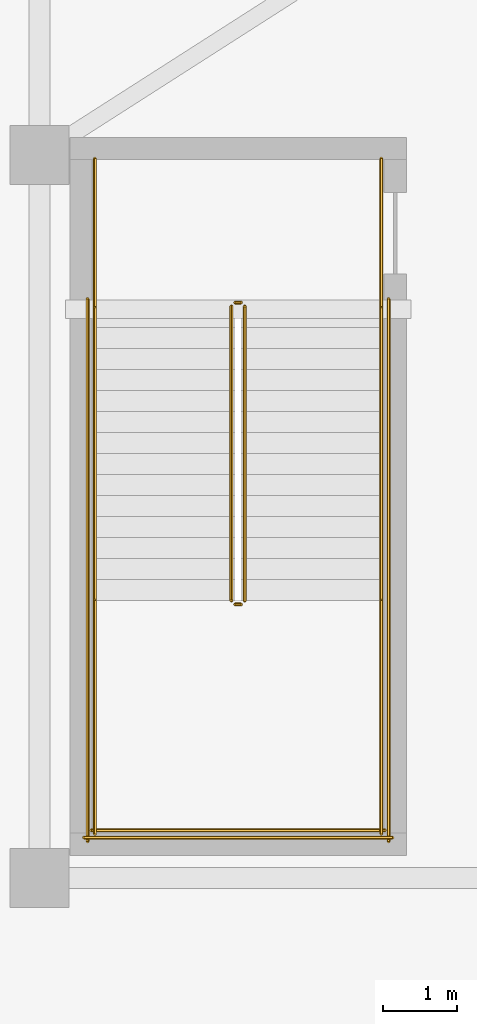
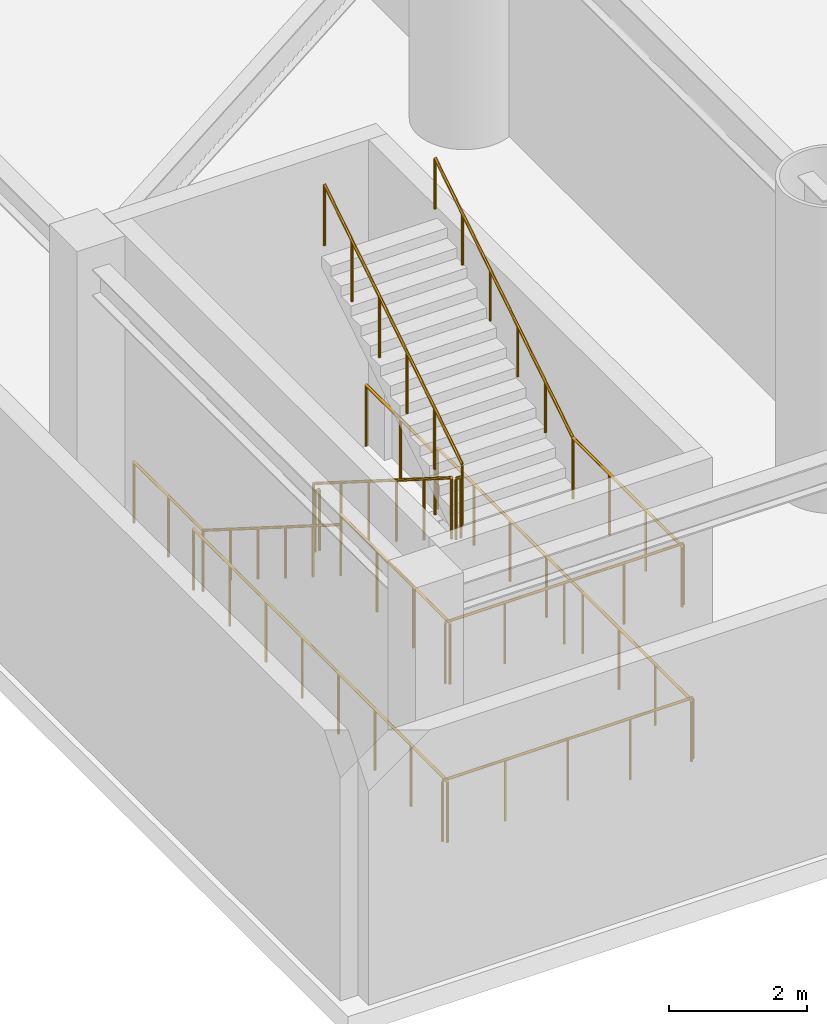
# One storey, part 10 of 16: 14 railings.
"""IFC4 building model written with IfcOpenShell, lengths in metres."""

from ifc_helpers import new_model, si_unit, direction, frame, origin, origin_2d, place, context, subcontext, project, spatial, circle, extrude, material, type_object, element, save


model = new_model("IFC4")

# Units and contexts
model_context = context("Model", 3, precision=1e-05, world=origin(), true_north=direction((0.0, 1.0)))
body_context = subcontext(model_context, "Body", "Model", "MODEL_VIEW")
ifc_project = project(units=[si_unit("LENGTHUNIT", "METRE"), si_unit("AREAUNIT", "SQUARE_METRE"), si_unit("VOLUMEUNIT", "CUBIC_METRE"), si_unit("PLANEANGLEUNIT", "RADIAN"), si_unit("MASSUNIT", "GRAM", prefix="KILO")], contexts=[model_context])

# Site, building, storey
site_placement = place(None, origin())
site = spatial("IfcSite", under=ifc_project, at=site_placement, CompositionType="ELEMENT")
building_placement = place(site_placement, origin())
building = spatial("IfcBuilding", under=site, at=building_placement, Name="Bramvorn Convention Spire", CompositionType="ELEMENT")
storey_placement = place(building_placement, frame((0.0, 0.0, 30.0)))
storey = spatial("IfcBuildingStorey", under=building, at=storey_placement, Name="L05", CompositionType="ELEMENT", Elevation=30.0)

# Railings
ifc_material_1 = material(Name="Painted Steel Balustrade & Guardrail", Category="steel")
railing_type_1 = type_object("IfcRailingType", Name="RL-STAIR-GUARD-1100", PredefinedType="GUARDRAIL", material=ifc_material_1)
railing_1_placement = place(storey_placement, frame((5.39990234375, 10.35009765625, 0.179931640625)))
element("IfcRailing", 1, at=railing_1_placement, inside=storey, type_object=railing_type_1, Name="L05 ST4 stair guard 1", PredefinedType="GUARDRAIL", context=body_context, shape_type="SweptSolid", body=[
    extrude(circle(Radius=0.02392578125, at=origin_2d()), frame((0.0, 0.0, 1.076171875), z_axis=(0.0, -0.845486444383, 0.533996884227), x_axis=(1.0, 0.0, 0.0)), (0.0, 0.0, 1.0), 4.71923828125),
    extrude(circle(Radius=0.02099609375, at=origin_2d()), origin(), (0.0, 0.0, 1.0), 1.052001953125),
    extrude(circle(Radius=0.02099609375, at=origin_2d()), frame((0.0, -0.798095703125, 0.50390625)), (0.0, 0.0, 1.0), 1.052001953125),
    extrude(circle(Radius=0.02099609375, at=origin_2d()), frame((0.0, -1.595947265625, 1.008056640625)), (0.0, 0.0, 1.0), 1.052001953125),
    extrude(circle(Radius=0.02099609375, at=origin_2d()), frame((0.0, -2.39404296875, 1.511962890625)), (0.0, 0.0, 1.0), 1.052001953125),
    extrude(circle(Radius=0.02099609375, at=origin_2d()), frame((0.0, -3.19189453125, 2.01611328125)), (0.0, 0.0, 1.0), 1.052001953125),
    extrude(circle(Radius=0.02099609375, at=origin_2d()), frame((0.0, -3.989990234375, 2.52001953125)), (0.0, 0.0, 1.0), 1.052001953125),
])
railing_2_placement = place(storey_placement, frame((5.449951171875, 6.31005859375, 2.699951171875)))
element("IfcRailing", 2, at=railing_2_placement, inside=storey, type_object=railing_type_1, Name="L05 ST4 stair guard 2", PredefinedType="GUARDRAIL", context=body_context, shape_type="SweptSolid", body=[
    extrude(circle(Radius=0.02392578125, at=origin_2d()), frame((0.0, 0.0, 1.076171875), z_axis=(1.0, 0.0, 0.0), x_axis=(0.0, 1.0, 0.0)), (0.0, 0.0, 1.0), 0.080078125),
    extrude(circle(Radius=0.02099609375, at=origin_2d()), origin(), (0.0, 0.0, 1.0), 1.052001953125),
    extrude(circle(Radius=0.02099609375, at=origin_2d()), frame((0.080078125, 0.0, 0.0)), (0.0, 0.0, 1.0), 1.052001953125),
])
for number, where, name in (
    (3, (3.550048828125, 6.360107421875, 2.699951171875), "L05 ST4 stair guard 3"),
    (4, (7.429931640625, 6.360107421875, 2.699951171875), "L05 ST4 stair guard 4"),
):
    element("IfcRailing", number, at=place(storey_placement, frame(where)), inside=storey, type_object=railing_type_1, Name=name, PredefinedType="GUARDRAIL", context=body_context, shape_type="SweptSolid", body=[
        extrude(circle(Radius=0.02392578125, at=origin_2d()), frame((0.0, 0.0, 1.076171875), z_axis=(0.0, -1.0, 0.0), x_axis=(1.0, 0.0, 0.0)), (0.0, 0.0, 1.0), 3.16015625),
        extrude(circle(Radius=0.02099609375, at=origin_2d()), origin(), (0.0, 0.0, 1.0), 1.052001953125),
        extrude(circle(Radius=0.02099609375, at=origin_2d()), frame((0.0, -1.053466796875, 0.0)), (0.0, 0.0, 1.0), 1.052001953125),
        extrude(circle(Radius=0.02099609375, at=origin_2d()), frame((0.0, -2.106689453125, 0.0)), (0.0, 0.0, 1.0), 1.052001953125),
        extrude(circle(Radius=0.02099609375, at=origin_2d()), frame((0.0, -3.16015625, 0.0)), (0.0, 0.0, 1.0), 1.052001953125),
    ])
railing_3_placement = place(storey_placement, frame((3.5, 3.25, 2.699951171875)))
element("IfcRailing", 5, at=railing_3_placement, inside=storey, type_object=railing_type_1, Name="L05 ST4 stair guard 5", PredefinedType="GUARDRAIL", context=body_context, shape_type="SweptSolid", body=[
    extrude(circle(Radius=0.02392578125, at=origin_2d()), frame((0.0, 0.0, 1.076171875), z_axis=(1.0, 0.0, 0.0), x_axis=(0.0, 1.0, 0.0)), (0.0, 0.0, 1.0), 3.97998046875),
    extrude(circle(Radius=0.02099609375, at=origin_2d()), origin(), (0.0, 0.0, 1.0), 1.052001953125),
    extrude(circle(Radius=0.02099609375, at=origin_2d()), frame((0.9951171875, 0.0, 0.0)), (0.0, 0.0, 1.0), 1.052001953125),
    extrude(circle(Radius=0.02099609375, at=origin_2d()), frame((1.989990234375, 0.0, 0.0)), (0.0, 0.0, 1.0), 1.052001953125),
    extrude(circle(Radius=0.02099609375, at=origin_2d()), frame((2.98486328125, 0.0, 0.0)), (0.0, 0.0, 1.0), 1.052001953125),
    extrude(circle(Radius=0.02099609375, at=origin_2d()), frame((3.97998046875, 0.0, 0.0)), (0.0, 0.0, 1.0), 1.052001953125),
])
railing_4_placement = place(storey_placement, frame((5.580078125, 6.360107421875, 2.8798828125)))
element("IfcRailing", 6, at=railing_4_placement, inside=storey, type_object=railing_type_1, Name="L05 ST4 stair guard 6", PredefinedType="GUARDRAIL", context=body_context, shape_type="SweptSolid", body=[
    extrude(circle(Radius=0.02392578125, at=origin_2d()), frame((0.0, 0.0, 1.076171875), z_axis=(0.0, 0.845486444383, 0.533996884227), x_axis=(-1.0, 0.0, 0.0)), (0.0, 0.0, 1.0), 4.71923828125),
    extrude(circle(Radius=0.02099609375, at=origin_2d()), origin(), (0.0, 0.0, 1.0), 1.052001953125),
    extrude(circle(Radius=0.02099609375, at=origin_2d()), frame((0.0, 0.798095703125, 0.50390625)), (0.0, 0.0, 1.0), 1.052001953125),
    extrude(circle(Radius=0.02099609375, at=origin_2d()), frame((0.0, 1.595947265625, 1.008056640625)), (0.0, 0.0, 1.0), 1.052001953125),
    extrude(circle(Radius=0.02099609375, at=origin_2d()), frame((0.0, 2.39404296875, 1.511962890625)), (0.0, 0.0, 1.0), 1.052001953125),
    extrude(circle(Radius=0.02099609375, at=origin_2d()), frame((0.0, 3.19189453125, 2.01611328125)), (0.0, 0.0, 1.0), 1.052001953125),
    extrude(circle(Radius=0.02099609375, at=origin_2d()), frame((0.0, 3.989990234375, 2.52001953125)), (0.0, 0.0, 1.0), 1.052001953125),
])
railing_5_placement = place(storey_placement, frame((5.449951171875, 10.39990234375, 0.0)))
element("IfcRailing", 7, at=railing_5_placement, inside=storey, type_object=railing_type_1, Name="L05 ST4 stair guard 7", PredefinedType="GUARDRAIL", context=body_context, shape_type="SweptSolid", body=[
    extrude(circle(Radius=0.02392578125, at=origin_2d()), frame((0.0, 0.0, 1.076171875), z_axis=(1.0, 0.0, 0.0), x_axis=(0.0, 1.0, 0.0)), (0.0, 0.0, 1.0), 0.080078125),
    extrude(circle(Radius=0.02099609375, at=origin_2d()), origin(), (0.0, 0.0, 1.0), 1.052001953125),
    extrude(circle(Radius=0.02099609375, at=origin_2d()), frame((0.080078125, 0.0, 0.0)), (0.0, 0.0, 1.0), 1.052001953125),
])
for number, where, name in (
    (8, (3.550048828125, 12.35009765625, 0.0), "L05 ST4 stair guard 8"),
    (9, (7.429931640625, 12.35009765625, 0.0), "L05 ST4 stair guard 9"),
):
    element("IfcRailing", number, at=place(storey_placement, frame(where)), inside=storey, type_object=railing_type_1, Name=name, PredefinedType="GUARDRAIL", context=body_context, shape_type="SweptSolid", body=[
        extrude(circle(Radius=0.02392578125, at=origin_2d()), frame((0.0, 0.0, 1.076171875), z_axis=(0.0, -1.0, 0.0), x_axis=(1.0, 0.0, 0.0)), (0.0, 0.0, 1.0), 2.0),
        extrude(circle(Radius=0.02099609375, at=origin_2d()), origin(), (0.0, 0.0, 1.0), 1.052001953125),
        extrude(circle(Radius=0.02099609375, at=origin_2d()), frame((0.0, -1.0, 0.0)), (0.0, 0.0, 1.0), 1.052001953125),
        extrude(circle(Radius=0.02099609375, at=origin_2d()), frame((0.0, -2.0, 0.0)), (0.0, 0.0, 1.0), 1.052001953125),
    ])
for number, where, name in (
    (10, (3.449951171875, 10.449951171875, 0.0), "L05 ST4 stair guard 10"),
    (11, (7.530029296875, 10.449951171875, 0.0), "L05 ST4 stair guard 11"),
):
    element("IfcRailing", number, at=place(storey_placement, frame(where)), inside=storey, type_object=railing_type_1, Name=name, PredefinedType="GUARDRAIL", context=body_context, shape_type="SweptSolid", body=[
        extrude(circle(Radius=0.02392578125, at=origin_2d()), frame((0.0, 0.0, 1.076171875), z_axis=(0.0, -1.0, 0.0), x_axis=(1.0, 0.0, 0.0)), (0.0, 0.0, 1.0), 7.349853515625),
        extrude(circle(Radius=0.02099609375, at=origin_2d()), origin(), (0.0, 0.0, 1.0), 1.052001953125),
        extrude(circle(Radius=0.02099609375, at=origin_2d()), frame((0.0, -1.050048828125, 0.0)), (0.0, 0.0, 1.0), 1.052001953125),
        extrude(circle(Radius=0.02099609375, at=origin_2d()), frame((0.0, -2.099853515625, 0.0)), (0.0, 0.0, 1.0), 1.052001953125),
        extrude(circle(Radius=0.02099609375, at=origin_2d()), frame((0.0, -3.14990234375, 0.0)), (0.0, 0.0, 1.0), 1.052001953125),
        extrude(circle(Radius=0.02099609375, at=origin_2d()), frame((0.0, -4.199951171875, 0.0)), (0.0, 0.0, 1.0), 1.052001953125),
        extrude(circle(Radius=0.02099609375, at=origin_2d()), frame((0.0, -5.25, 0.0)), (0.0, 0.0, 1.0), 1.052001953125),
        extrude(circle(Radius=0.02099609375, at=origin_2d()), frame((0.0, -6.2998046875, 0.0)), (0.0, 0.0, 1.0), 1.052001953125),
        extrude(circle(Radius=0.02099609375, at=origin_2d()), frame((0.0, -7.349853515625, 0.0)), (0.0, 0.0, 1.0), 1.052001953125),
    ])
railing_6_placement = place(storey_placement, frame((3.39990234375, 3.14990234375, 0.0)))
element("IfcRailing", 12, at=railing_6_placement, inside=storey, type_object=railing_type_1, Name="L05 ST4 stair guard 12", PredefinedType="GUARDRAIL", context=body_context, shape_type="SweptSolid", body=[
    extrude(circle(Radius=0.02392578125, at=origin_2d()), frame((0.0, 0.0, 1.076171875), z_axis=(1.0, 0.0, 0.0), x_axis=(0.0, 1.0, 0.0)), (0.0, 0.0, 1.0), 4.18017578125),
    extrude(circle(Radius=0.02099609375, at=origin_2d()), origin(), (0.0, 0.0, 1.0), 1.052001953125),
    extrude(circle(Radius=0.02099609375, at=origin_2d()), frame((1.044921875, 0.0, 0.0)), (0.0, 0.0, 1.0), 1.052001953125),
    extrude(circle(Radius=0.02099609375, at=origin_2d()), frame((2.090087890625, 0.0, 0.0)), (0.0, 0.0, 1.0), 1.052001953125),
    extrude(circle(Radius=0.02099609375, at=origin_2d()), frame((3.13525390625, 0.0, 0.0)), (0.0, 0.0, 1.0), 1.052001953125),
    extrude(circle(Radius=0.02099609375, at=origin_2d()), frame((4.18017578125, 0.0, 0.0)), (0.0, 0.0, 1.0), 1.052001953125),
])
ifc_material_2 = material(Name="Brushed Bronze Tubular Handrail", Category="aluminium")
railing_type_2 = type_object("IfcRailingType", Name="RL-STAIR-HR-920", PredefinedType="HANDRAIL", material=ifc_material_2)
railing_7_placement = place(storey_placement, frame((3.550048828125, 10.35009765625, 0.179931640625)))
element("IfcRailing", 13, at=railing_7_placement, inside=storey, type_object=railing_type_2, Name="L05 ST4 stair handrail 1", PredefinedType="HANDRAIL", context=body_context, shape_type="SweptSolid", body=[
    extrude(circle(Radius=0.02392578125, at=origin_2d()), frame((0.0, 0.0, 0.89599609375), z_axis=(0.0, -0.845486444383, 0.533996884227), x_axis=(1.0, 0.0, 0.0)), (0.0, 0.0, 1.0), 4.71923828125),
    extrude(circle(Radius=0.02099609375, at=origin_2d()), origin(), (0.0, 0.0, 1.0), 0.871826171875),
    extrude(circle(Radius=0.02099609375, at=origin_2d()), frame((0.0, -0.798095703125, 0.50390625)), (0.0, 0.0, 1.0), 0.871826171875),
    extrude(circle(Radius=0.02099609375, at=origin_2d()), frame((0.0, -1.595947265625, 1.008056640625)), (0.0, 0.0, 1.0), 0.871826171875),
    extrude(circle(Radius=0.02099609375, at=origin_2d()), frame((0.0, -2.39404296875, 1.511962890625)), (0.0, 0.0, 1.0), 0.871826171875),
    extrude(circle(Radius=0.02099609375, at=origin_2d()), frame((0.0, -3.19189453125, 2.01611328125)), (0.0, 0.0, 1.0), 0.871826171875),
    extrude(circle(Radius=0.02099609375, at=origin_2d()), frame((0.0, -3.989990234375, 2.52001953125)), (0.0, 0.0, 1.0), 0.871826171875),
])
railing_8_placement = place(storey_placement, frame((7.429931640625, 6.360107421875, 2.8798828125)))
element("IfcRailing", 14, at=railing_8_placement, inside=storey, type_object=railing_type_2, Name="L05 ST4 stair handrail 2", PredefinedType="HANDRAIL", context=body_context, shape_type="SweptSolid", body=[
    extrude(circle(Radius=0.02392578125, at=origin_2d()), frame((0.0, 0.0, 0.89599609375), z_axis=(0.0, 0.845486444383, 0.533996884227), x_axis=(-1.0, 0.0, 0.0)), (0.0, 0.0, 1.0), 4.71923828125),
    extrude(circle(Radius=0.02099609375, at=origin_2d()), origin(), (0.0, 0.0, 1.0), 0.871826171875),
    extrude(circle(Radius=0.02099609375, at=origin_2d()), frame((0.0, 0.798095703125, 0.50390625)), (0.0, 0.0, 1.0), 0.871826171875),
    extrude(circle(Radius=0.02099609375, at=origin_2d()), frame((0.0, 1.595947265625, 1.008056640625)), (0.0, 0.0, 1.0), 0.871826171875),
    extrude(circle(Radius=0.02099609375, at=origin_2d()), frame((0.0, 2.39404296875, 1.511962890625)), (0.0, 0.0, 1.0), 0.871826171875),
    extrude(circle(Radius=0.02099609375, at=origin_2d()), frame((0.0, 3.19189453125, 2.01611328125)), (0.0, 0.0, 1.0), 0.871826171875),
    extrude(circle(Radius=0.02099609375, at=origin_2d()), frame((0.0, 3.989990234375, 2.52001953125)), (0.0, 0.0, 1.0), 0.871826171875),
])

save(model, "model.ifc")
